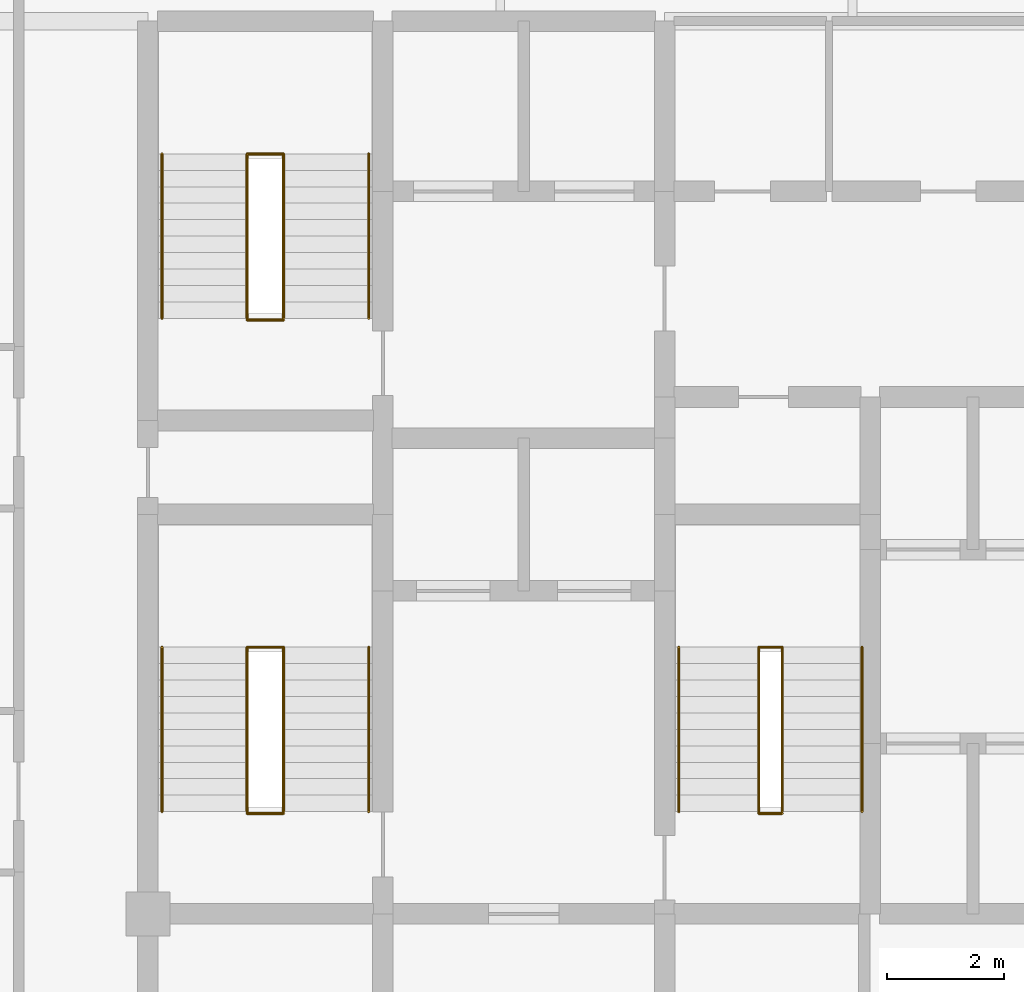
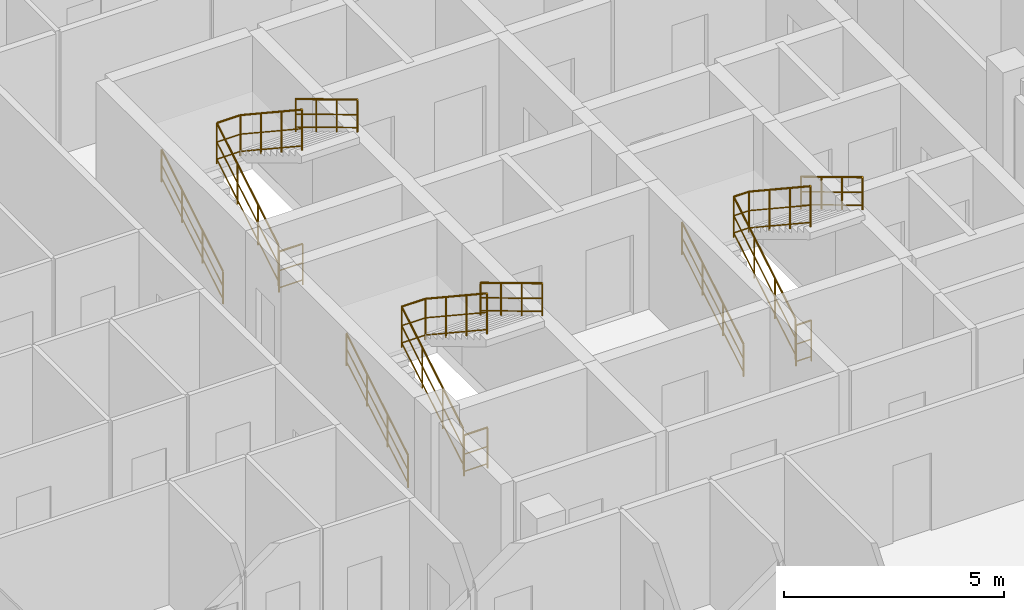
# One storey, part 29 of 29: 12 railings.
"""IFC4 building model written with IfcOpenShell, lengths in metres."""

from ifc_helpers import new_model, si_unit, direction, frame, origin, origin_2d, place, context, subcontext, project, spatial, circle, extrude, material, layer, layer_set, type_object, element, save


model = new_model("IFC4")

# Units and contexts
model_context = context("Model", 3, precision=1e-05, world=origin(), true_north=direction((0.0, 1.0)))
body_context = subcontext(model_context, "Body", "Model", "MODEL_VIEW")
ifc_project = project(units=[si_unit("LENGTHUNIT", "METRE"), si_unit("AREAUNIT", "SQUARE_METRE"), si_unit("VOLUMEUNIT", "CUBIC_METRE"), si_unit("PLANEANGLEUNIT", "RADIAN"), si_unit("MASSUNIT", "GRAM", prefix="KILO")], contexts=[model_context])

# Site, building, storey
site_placement = place(None, origin())
site = spatial("IfcSite", under=ifc_project, at=site_placement, CompositionType="ELEMENT")
building_placement = place(site_placement, origin())
building = spatial("IfcBuilding", under=site, at=building_placement, Name="Keshet Zoharim Tower", CompositionType="ELEMENT")
storey_placement = place(building_placement, frame((0.0, 0.0, 206.89990234375)))
storey = spatial("IfcBuildingStorey", under=building, at=storey_placement, Name="L51", CompositionType="ELEMENT", Elevation=206.89990234375)

# Railings
ifc_material = material(Name="Steel S355", Category="steel")
ifc_layer_1 = layer(ifc_material, 0.050048828125)
ifc_layer_set_1 = layer_set([ifc_layer_1], Name="Steel S355")
railing_type_1 = type_object("IfcRailingType", Name="RL-HND-092", PredefinedType="HANDRAIL", material=ifc_layer_set_1)
railing_1_placement = place(storey_placement, frame((15.239990234375, 24.43994140625, 0.168212890625)))
element("IfcRailing", 1, at=railing_1_placement, inside=storey, type_object=railing_type_1, Name="L51 ST-01 Flight 1 Wall Handrail", PredefinedType="HANDRAIL", context=body_context, shape_type="SweptSolid", body=[
    extrude(circle(Radius=0.02392578125, at=origin_2d()), frame((0.0, 0.0, 0.89599609375), z_axis=(0.0, 0.857242210791, 0.514913383045), x_axis=(-1.0, 0.0, 0.0)), (0.0, 0.0, 1.0), 3.266357421875),
    extrude(circle(Radius=0.01611328125, at=origin_2d()), frame((0.0, 0.0, 0.478271484375), z_axis=(0.0, 0.857242210791, 0.514913383045), x_axis=(-1.0, 0.0, 0.0)), (0.0, 0.0, 1.0), 3.266357421875),
    extrude(circle(Radius=0.01611328125, at=origin_2d()), frame((0.0, 0.0, 0.1201171875), z_axis=(0.0, 0.857242210791, 0.514913383045), x_axis=(-1.0, 0.0, 0.0)), (0.0, 0.0, 1.0), 3.266357421875),
    extrude(circle(Radius=0.02099609375, at=origin_2d()), origin(), (0.0, 0.0, 1.0), 0.871826171875),
    extrude(circle(Radius=0.02099609375, at=origin_2d()), frame((0.0, 0.933349609375, 0.560546875)), (0.0, 0.0, 1.0), 0.871826171875),
    extrude(circle(Radius=0.02099609375, at=origin_2d()), frame((0.0, 1.86669921875, 1.121337890625)), (0.0, 0.0, 1.0), 0.871826171875),
    extrude(circle(Radius=0.02099609375, at=origin_2d()), frame((0.0, 2.800048828125, 1.681884765625)), (0.0, 0.0, 1.0), 0.871826171875),
])
railing_2_placement = place(storey_placement, frame((18.760009765625, 27.239990234375, 2.018310546875)))
element("IfcRailing", 2, at=railing_2_placement, inside=storey, type_object=railing_type_1, Name="L51 ST-01 Flight 2 Wall Handrail", PredefinedType="HANDRAIL", context=body_context, shape_type="SweptSolid", body=[
    extrude(circle(Radius=0.02392578125, at=origin_2d()), frame((0.0, 0.0, 0.89599609375), z_axis=(0.0, -0.857242210791, 0.514913383045), x_axis=(1.0, 0.0, 0.0)), (0.0, 0.0, 1.0), 3.266357421875),
    extrude(circle(Radius=0.01611328125, at=origin_2d()), frame((0.0, 0.0, 0.478271484375), z_axis=(0.0, -0.857242210791, 0.514913383045), x_axis=(1.0, 0.0, 0.0)), (0.0, 0.0, 1.0), 3.266357421875),
    extrude(circle(Radius=0.01611328125, at=origin_2d()), frame((0.0, 0.0, 0.1201171875), z_axis=(0.0, -0.857242210791, 0.514913383045), x_axis=(1.0, 0.0, 0.0)), (0.0, 0.0, 1.0), 3.266357421875),
    extrude(circle(Radius=0.02099609375, at=origin_2d()), origin(), (0.0, 0.0, 1.0), 0.871826171875),
    extrude(circle(Radius=0.02099609375, at=origin_2d()), frame((0.0, -0.933349609375, 0.560546875)), (0.0, 0.0, 1.0), 0.871826171875),
    extrude(circle(Radius=0.02099609375, at=origin_2d()), frame((0.0, -1.86669921875, 1.121337890625)), (0.0, 0.0, 1.0), 0.871826171875),
    extrude(circle(Radius=0.02099609375, at=origin_2d()), frame((0.0, -2.800048828125, 1.681884765625)), (0.0, 0.0, 1.0), 0.871826171875),
])
railing_3_placement = place(storey_placement, frame((15.239990234375, 32.840087890625, 0.168212890625)))
element("IfcRailing", 3, at=railing_3_placement, inside=storey, type_object=railing_type_1, Name="L51 ST-02 Flight 1 Wall Handrail", PredefinedType="HANDRAIL", context=body_context, shape_type="SweptSolid", body=[
    extrude(circle(Radius=0.02392578125, at=origin_2d()), frame((0.0, 0.0, 0.89599609375), z_axis=(0.0, 0.857222391501, 0.514946377315), x_axis=(-1.0, 0.0, 0.0)), (0.0, 0.0, 1.0), 3.26611328125),
    extrude(circle(Radius=0.01611328125, at=origin_2d()), frame((0.0, 0.0, 0.478271484375), z_axis=(0.0, 0.857222391501, 0.514946377315), x_axis=(-1.0, 0.0, 0.0)), (0.0, 0.0, 1.0), 3.26611328125),
    extrude(circle(Radius=0.01611328125, at=origin_2d()), frame((0.0, 0.0, 0.1201171875), z_axis=(0.0, 0.857222391501, 0.514946377315), x_axis=(-1.0, 0.0, 0.0)), (0.0, 0.0, 1.0), 3.26611328125),
    extrude(circle(Radius=0.02099609375, at=origin_2d()), origin(), (0.0, 0.0, 1.0), 0.871826171875),
    extrude(circle(Radius=0.02099609375, at=origin_2d()), frame((0.0, 0.933349609375, 0.560546875)), (0.0, 0.0, 1.0), 0.871826171875),
    extrude(circle(Radius=0.02099609375, at=origin_2d()), frame((0.0, 1.866455078125, 1.121337890625)), (0.0, 0.0, 1.0), 0.871826171875),
    extrude(circle(Radius=0.02099609375, at=origin_2d()), frame((0.0, 2.7998046875, 1.681884765625)), (0.0, 0.0, 1.0), 0.871826171875),
])
railing_4_placement = place(storey_placement, frame((18.760009765625, 35.639892578125, 2.018310546875)))
element("IfcRailing", 4, at=railing_4_placement, inside=storey, type_object=railing_type_1, Name="L51 ST-02 Flight 2 Wall Handrail", PredefinedType="HANDRAIL", context=body_context, shape_type="SweptSolid", body=[
    extrude(circle(Radius=0.02392578125, at=origin_2d()), frame((0.0, 0.0, 0.89599609375), z_axis=(0.0, -0.857222391501, 0.514946377315), x_axis=(1.0, 0.0, 0.0)), (0.0, 0.0, 1.0), 3.26611328125),
    extrude(circle(Radius=0.01611328125, at=origin_2d()), frame((0.0, 0.0, 0.478271484375), z_axis=(0.0, -0.857222391501, 0.514946377315), x_axis=(1.0, 0.0, 0.0)), (0.0, 0.0, 1.0), 3.26611328125),
    extrude(circle(Radius=0.01611328125, at=origin_2d()), frame((0.0, 0.0, 0.1201171875), z_axis=(0.0, -0.857222391501, 0.514946377315), x_axis=(1.0, 0.0, 0.0)), (0.0, 0.0, 1.0), 3.26611328125),
    extrude(circle(Radius=0.02099609375, at=origin_2d()), origin(), (0.0, 0.0, 1.0), 0.871826171875),
    extrude(circle(Radius=0.02099609375, at=origin_2d()), frame((0.0, -0.933349609375, 0.560546875)), (0.0, 0.0, 1.0), 0.871826171875),
    extrude(circle(Radius=0.02099609375, at=origin_2d()), frame((0.0, -1.866455078125, 1.121337890625)), (0.0, 0.0, 1.0), 0.871826171875),
    extrude(circle(Radius=0.02099609375, at=origin_2d()), frame((0.0, -2.7998046875, 1.681884765625)), (0.0, 0.0, 1.0), 0.871826171875),
])
railing_5_placement = place(storey_placement, frame((24.0400390625, 24.43994140625, 0.168212890625)))
element("IfcRailing", 5, at=railing_5_placement, inside=storey, type_object=railing_type_1, Name="L51 ST-03 Flight 1 Wall Handrail", PredefinedType="HANDRAIL", context=body_context, shape_type="SweptSolid", body=[
    extrude(circle(Radius=0.02392578125, at=origin_2d()), frame((0.0, 0.0, 0.89599609375), z_axis=(0.0, 0.857242210791, 0.514913383045), x_axis=(-1.0, 0.0, 0.0)), (0.0, 0.0, 1.0), 3.266357421875),
    extrude(circle(Radius=0.01611328125, at=origin_2d()), frame((0.0, 0.0, 0.478271484375), z_axis=(0.0, 0.857242210791, 0.514913383045), x_axis=(-1.0, 0.0, 0.0)), (0.0, 0.0, 1.0), 3.266357421875),
    extrude(circle(Radius=0.01611328125, at=origin_2d()), frame((0.0, 0.0, 0.1201171875), z_axis=(0.0, 0.857242210791, 0.514913383045), x_axis=(-1.0, 0.0, 0.0)), (0.0, 0.0, 1.0), 3.266357421875),
    extrude(circle(Radius=0.02099609375, at=origin_2d()), origin(), (0.0, 0.0, 1.0), 0.871826171875),
    extrude(circle(Radius=0.02099609375, at=origin_2d()), frame((0.0, 0.933349609375, 0.560546875)), (0.0, 0.0, 1.0), 0.871826171875),
    extrude(circle(Radius=0.02099609375, at=origin_2d()), frame((0.0, 1.86669921875, 1.121337890625)), (0.0, 0.0, 1.0), 0.871826171875),
    extrude(circle(Radius=0.02099609375, at=origin_2d()), frame((0.0, 2.800048828125, 1.681884765625)), (0.0, 0.0, 1.0), 0.871826171875),
])
railing_6_placement = place(storey_placement, frame((27.159912109375, 27.239990234375, 2.018310546875)))
element("IfcRailing", 6, at=railing_6_placement, inside=storey, type_object=railing_type_1, Name="L51 ST-03 Flight 2 Wall Handrail", PredefinedType="HANDRAIL", context=body_context, shape_type="SweptSolid", body=[
    extrude(circle(Radius=0.02392578125, at=origin_2d()), frame((0.0, 0.0, 0.89599609375), z_axis=(0.0, -0.857242210791, 0.514913383045), x_axis=(1.0, 0.0, 0.0)), (0.0, 0.0, 1.0), 3.266357421875),
    extrude(circle(Radius=0.01611328125, at=origin_2d()), frame((0.0, 0.0, 0.478271484375), z_axis=(0.0, -0.857242210791, 0.514913383045), x_axis=(1.0, 0.0, 0.0)), (0.0, 0.0, 1.0), 3.266357421875),
    extrude(circle(Radius=0.01611328125, at=origin_2d()), frame((0.0, 0.0, 0.1201171875), z_axis=(0.0, -0.857242210791, 0.514913383045), x_axis=(1.0, 0.0, 0.0)), (0.0, 0.0, 1.0), 3.266357421875),
    extrude(circle(Radius=0.02099609375, at=origin_2d()), origin(), (0.0, 0.0, 1.0), 0.871826171875),
    extrude(circle(Radius=0.02099609375, at=origin_2d()), frame((0.0, -0.933349609375, 0.560546875)), (0.0, 0.0, 1.0), 0.871826171875),
    extrude(circle(Radius=0.02099609375, at=origin_2d()), frame((0.0, -1.86669921875, 1.121337890625)), (0.0, 0.0, 1.0), 0.871826171875),
    extrude(circle(Radius=0.02099609375, at=origin_2d()), frame((0.0, -2.800048828125, 1.681884765625)), (0.0, 0.0, 1.0), 0.871826171875),
])
ifc_layer_2 = layer(ifc_material, 0.06005859375)
ifc_layer_set_2 = layer_set([ifc_layer_2], Name="Steel S355")
railing_type_2 = type_object("IfcRailingType", Name="RL-STG-115", PredefinedType="GUARDRAIL", material=ifc_layer_set_2)
railing_7_placement = place(storey_placement, frame((16.68994140625, 24.43994140625, 0.168212890625)))
element("IfcRailing", 7, at=railing_7_placement, inside=storey, type_object=railing_type_2, Name="L51 ST-01 Inner Well Guardrail", PredefinedType="GUARDRAIL", context=body_context, shape_type="SweptSolid", body=[
    extrude(circle(Radius=0.02392578125, at=origin_2d()), frame((0.0, 0.0, 1.1259765625), z_axis=(0.0, 0.857242210791, 0.514913383045), x_axis=(-1.0, 0.0, 0.0)), (0.0, 0.0, 1.0), 3.266357421875),
    extrude(circle(Radius=0.01611328125, at=origin_2d()), frame((0.0, 0.0, 0.597900390625), z_axis=(0.0, 0.857242210791, 0.514913383045), x_axis=(-1.0, 0.0, 0.0)), (0.0, 0.0, 1.0), 3.266357421875),
    extrude(circle(Radius=0.01611328125, at=origin_2d()), frame((0.0, 0.0, 0.1201171875), z_axis=(0.0, 0.857242210791, 0.514913383045), x_axis=(-1.0, 0.0, 0.0)), (0.0, 0.0, 1.0), 3.266357421875),
    extrude(circle(Radius=0.02392578125, at=origin_2d()), frame((0.0, 2.800048828125, 2.8076171875), z_axis=(1.0, 0.0, 0.0), x_axis=(0.0, 1.0, 0.0)), (0.0, 0.0, 1.0), 0.6201171875),
    extrude(circle(Radius=0.01611328125, at=origin_2d()), frame((0.0, 2.800048828125, 2.27978515625), z_axis=(1.0, 0.0, 0.0), x_axis=(0.0, 1.0, 0.0)), (0.0, 0.0, 1.0), 0.6201171875),
    extrude(circle(Radius=0.01611328125, at=origin_2d()), frame((0.0, 2.800048828125, 1.802001953125), z_axis=(1.0, 0.0, 0.0), x_axis=(0.0, 1.0, 0.0)), (0.0, 0.0, 1.0), 0.6201171875),
    extrude(circle(Radius=0.02392578125, at=origin_2d()), frame((0.6201171875, 2.800048828125, 2.8076171875), z_axis=(0.0, -0.834326358476, 0.551270829586), x_axis=(1.0, 0.0, 0.0)), (0.0, 0.0, 1.0), 3.35595703125),
    extrude(circle(Radius=0.01611328125, at=origin_2d()), frame((0.6201171875, 2.800048828125, 2.27978515625), z_axis=(0.0, -0.834326358476, 0.551270829586), x_axis=(1.0, 0.0, 0.0)), (0.0, 0.0, 1.0), 3.35595703125),
    extrude(circle(Radius=0.01611328125, at=origin_2d()), frame((0.6201171875, 2.800048828125, 1.802001953125), z_axis=(0.0, -0.834326358476, 0.551270829586), x_axis=(1.0, 0.0, 0.0)), (0.0, 0.0, 1.0), 3.35595703125),
    extrude(circle(Radius=0.02099609375, at=origin_2d()), origin(), (0.0, 0.0, 1.0), 1.101806640625),
    extrude(circle(Radius=0.02099609375, at=origin_2d()), frame((0.0, 0.933349609375, 0.560546875)), (0.0, 0.0, 1.0), 1.101806640625),
    extrude(circle(Radius=0.02099609375, at=origin_2d()), frame((0.0, 1.86669921875, 1.121337890625)), (0.0, 0.0, 1.0), 1.101806640625),
    extrude(circle(Radius=0.02099609375, at=origin_2d()), frame((0.0, 2.800048828125, 1.681884765625)), (0.0, 0.0, 1.0), 1.101806640625),
    extrude(circle(Radius=0.02099609375, at=origin_2d()), frame((0.6201171875, 2.800048828125, 1.681884765625)), (0.0, 0.0, 1.0), 1.101806640625),
    extrude(circle(Radius=0.02099609375, at=origin_2d()), frame((0.6201171875, 1.86669921875, 2.298583984375)), (0.0, 0.0, 1.0), 1.101806640625),
    extrude(circle(Radius=0.02099609375, at=origin_2d()), frame((0.6201171875, 0.933349609375, 2.915283203125)), (0.0, 0.0, 1.0), 1.101806640625),
    extrude(circle(Radius=0.02099609375, at=origin_2d()), frame((0.6201171875, 0.0, 3.531982421875)), (0.0, 0.0, 1.0), 1.101806640625),
])
railing_8_placement = place(storey_placement, frame((16.68994140625, 24.409912109375, 0.0)))
element("IfcRailing", 8, at=railing_8_placement, inside=storey, type_object=railing_type_2, Name="L51 ST-01 Stairwell Floor Guardrail", PredefinedType="GUARDRAIL", context=body_context, shape_type="SweptSolid", body=[
    extrude(circle(Radius=0.02392578125, at=origin_2d()), frame((0.0, 0.0, 1.1259765625), z_axis=(1.0, 0.0, 0.0), x_axis=(0.0, 1.0, 0.0)), (0.0, 0.0, 1.0), 0.6201171875),
    extrude(circle(Radius=0.01611328125, at=origin_2d()), frame((0.0, 0.0, 0.597900390625), z_axis=(1.0, 0.0, 0.0), x_axis=(0.0, 1.0, 0.0)), (0.0, 0.0, 1.0), 0.6201171875),
    extrude(circle(Radius=0.01611328125, at=origin_2d()), frame((0.0, 0.0, 0.1201171875), z_axis=(1.0, 0.0, 0.0), x_axis=(0.0, 1.0, 0.0)), (0.0, 0.0, 1.0), 0.6201171875),
    extrude(circle(Radius=0.02099609375, at=origin_2d()), origin(), (0.0, 0.0, 1.0), 1.101806640625),
    extrude(circle(Radius=0.02099609375, at=origin_2d()), frame((0.6201171875, 0.0, 0.0)), (0.0, 0.0, 1.0), 1.101806640625),
])
railing_9_placement = place(storey_placement, frame((16.68994140625, 32.840087890625, 0.168212890625)))
element("IfcRailing", 9, at=railing_9_placement, inside=storey, type_object=railing_type_2, Name="L51 ST-02 Inner Well Guardrail", PredefinedType="GUARDRAIL", context=body_context, shape_type="SweptSolid", body=[
    extrude(circle(Radius=0.02392578125, at=origin_2d()), frame((0.0, 0.0, 1.1259765625), z_axis=(0.0, 0.857222391501, 0.514946377315), x_axis=(-1.0, 0.0, 0.0)), (0.0, 0.0, 1.0), 3.26611328125),
    extrude(circle(Radius=0.01611328125, at=origin_2d()), frame((0.0, 0.0, 0.597900390625), z_axis=(0.0, 0.857222391501, 0.514946377315), x_axis=(-1.0, 0.0, 0.0)), (0.0, 0.0, 1.0), 3.26611328125),
    extrude(circle(Radius=0.01611328125, at=origin_2d()), frame((0.0, 0.0, 0.1201171875), z_axis=(0.0, 0.857222391501, 0.514946377315), x_axis=(-1.0, 0.0, 0.0)), (0.0, 0.0, 1.0), 3.26611328125),
    extrude(circle(Radius=0.02392578125, at=origin_2d()), frame((0.0, 2.7998046875, 2.8076171875), z_axis=(1.0, 0.0, 0.0), x_axis=(0.0, 1.0, 0.0)), (0.0, 0.0, 1.0), 0.6201171875),
    extrude(circle(Radius=0.01611328125, at=origin_2d()), frame((0.0, 2.7998046875, 2.27978515625), z_axis=(1.0, 0.0, 0.0), x_axis=(0.0, 1.0, 0.0)), (0.0, 0.0, 1.0), 0.6201171875),
    extrude(circle(Radius=0.01611328125, at=origin_2d()), frame((0.0, 2.7998046875, 1.802001953125), z_axis=(1.0, 0.0, 0.0), x_axis=(0.0, 1.0, 0.0)), (0.0, 0.0, 1.0), 0.6201171875),
    extrude(circle(Radius=0.02392578125, at=origin_2d()), frame((0.6201171875, 2.7998046875, 2.8076171875), z_axis=(0.0, -0.834304248922, 0.551304290053), x_axis=(1.0, 0.0, 0.0)), (0.0, 0.0, 1.0), 3.35595703125),
    extrude(circle(Radius=0.01611328125, at=origin_2d()), frame((0.6201171875, 2.7998046875, 2.27978515625), z_axis=(0.0, -0.834304248922, 0.551304290053), x_axis=(1.0, 0.0, 0.0)), (0.0, 0.0, 1.0), 3.35595703125),
    extrude(circle(Radius=0.01611328125, at=origin_2d()), frame((0.6201171875, 2.7998046875, 1.802001953125), z_axis=(0.0, -0.834304248922, 0.551304290053), x_axis=(1.0, 0.0, 0.0)), (0.0, 0.0, 1.0), 3.35595703125),
    extrude(circle(Radius=0.02099609375, at=origin_2d()), origin(), (0.0, 0.0, 1.0), 1.101806640625),
    extrude(circle(Radius=0.02099609375, at=origin_2d()), frame((0.0, 0.933349609375, 0.560546875)), (0.0, 0.0, 1.0), 1.101806640625),
    extrude(circle(Radius=0.02099609375, at=origin_2d()), frame((0.0, 1.866455078125, 1.121337890625)), (0.0, 0.0, 1.0), 1.101806640625),
    extrude(circle(Radius=0.02099609375, at=origin_2d()), frame((0.0, 2.7998046875, 1.681884765625)), (0.0, 0.0, 1.0), 1.101806640625),
    extrude(circle(Radius=0.02099609375, at=origin_2d()), frame((0.6201171875, 2.7998046875, 1.681884765625)), (0.0, 0.0, 1.0), 1.101806640625),
    extrude(circle(Radius=0.02099609375, at=origin_2d()), frame((0.6201171875, 1.866455078125, 2.298583984375)), (0.0, 0.0, 1.0), 1.101806640625),
    extrude(circle(Radius=0.02099609375, at=origin_2d()), frame((0.6201171875, 0.933349609375, 2.915283203125)), (0.0, 0.0, 1.0), 1.101806640625),
    extrude(circle(Radius=0.02099609375, at=origin_2d()), frame((0.6201171875, 0.0, 3.531982421875)), (0.0, 0.0, 1.0), 1.101806640625),
])
railing_10_placement = place(storey_placement, frame((16.68994140625, 32.81005859375, 0.0)))
element("IfcRailing", 10, at=railing_10_placement, inside=storey, type_object=railing_type_2, Name="L51 ST-02 Stairwell Floor Guardrail", PredefinedType="GUARDRAIL", context=body_context, shape_type="SweptSolid", body=[
    extrude(circle(Radius=0.02392578125, at=origin_2d()), frame((0.0, 0.0, 1.1259765625), z_axis=(1.0, 0.0, 0.0), x_axis=(0.0, 1.0, 0.0)), (0.0, 0.0, 1.0), 0.6201171875),
    extrude(circle(Radius=0.01611328125, at=origin_2d()), frame((0.0, 0.0, 0.597900390625), z_axis=(1.0, 0.0, 0.0), x_axis=(0.0, 1.0, 0.0)), (0.0, 0.0, 1.0), 0.6201171875),
    extrude(circle(Radius=0.01611328125, at=origin_2d()), frame((0.0, 0.0, 0.1201171875), z_axis=(1.0, 0.0, 0.0), x_axis=(0.0, 1.0, 0.0)), (0.0, 0.0, 1.0), 0.6201171875),
    extrude(circle(Radius=0.02099609375, at=origin_2d()), origin(), (0.0, 0.0, 1.0), 1.101806640625),
    extrude(circle(Radius=0.02099609375, at=origin_2d()), frame((0.6201171875, 0.0, 0.0)), (0.0, 0.0, 1.0), 1.101806640625),
])
railing_11_placement = place(storey_placement, frame((25.39990234375, 24.43994140625, 0.168212890625)))
element("IfcRailing", 11, at=railing_11_placement, inside=storey, type_object=railing_type_2, Name="L51 ST-03 Inner Well Guardrail", PredefinedType="GUARDRAIL", context=body_context, shape_type="SweptSolid", body=[
    extrude(circle(Radius=0.02392578125, at=origin_2d()), frame((0.0, 0.0, 1.1259765625), z_axis=(0.0, 0.857242210791, 0.514913383045), x_axis=(-1.0, 0.0, 0.0)), (0.0, 0.0, 1.0), 3.266357421875),
    extrude(circle(Radius=0.01611328125, at=origin_2d()), frame((0.0, 0.0, 0.597900390625), z_axis=(0.0, 0.857242210791, 0.514913383045), x_axis=(-1.0, 0.0, 0.0)), (0.0, 0.0, 1.0), 3.266357421875),
    extrude(circle(Radius=0.01611328125, at=origin_2d()), frame((0.0, 0.0, 0.1201171875), z_axis=(0.0, 0.857242210791, 0.514913383045), x_axis=(-1.0, 0.0, 0.0)), (0.0, 0.0, 1.0), 3.266357421875),
    extrude(circle(Radius=0.02392578125, at=origin_2d()), frame((0.0, 2.800048828125, 2.8076171875), z_axis=(1.0, 0.0, 0.0), x_axis=(0.0, 1.0, 0.0)), (0.0, 0.0, 1.0), 0.400146484375),
    extrude(circle(Radius=0.01611328125, at=origin_2d()), frame((0.0, 2.800048828125, 2.27978515625), z_axis=(1.0, 0.0, 0.0), x_axis=(0.0, 1.0, 0.0)), (0.0, 0.0, 1.0), 0.400146484375),
    extrude(circle(Radius=0.01611328125, at=origin_2d()), frame((0.0, 2.800048828125, 1.802001953125), z_axis=(1.0, 0.0, 0.0), x_axis=(0.0, 1.0, 0.0)), (0.0, 0.0, 1.0), 0.400146484375),
    extrude(circle(Radius=0.02392578125, at=origin_2d()), frame((0.400146484375, 2.800048828125, 2.8076171875), z_axis=(0.0, -0.834326358476, 0.551270829586), x_axis=(1.0, 0.0, 0.0)), (0.0, 0.0, 1.0), 3.35595703125),
    extrude(circle(Radius=0.01611328125, at=origin_2d()), frame((0.400146484375, 2.800048828125, 2.27978515625), z_axis=(0.0, -0.834326358476, 0.551270829586), x_axis=(1.0, 0.0, 0.0)), (0.0, 0.0, 1.0), 3.35595703125),
    extrude(circle(Radius=0.01611328125, at=origin_2d()), frame((0.400146484375, 2.800048828125, 1.802001953125), z_axis=(0.0, -0.834326358476, 0.551270829586), x_axis=(1.0, 0.0, 0.0)), (0.0, 0.0, 1.0), 3.35595703125),
    extrude(circle(Radius=0.02099609375, at=origin_2d()), origin(), (0.0, 0.0, 1.0), 1.101806640625),
    extrude(circle(Radius=0.02099609375, at=origin_2d()), frame((0.0, 0.933349609375, 0.560546875)), (0.0, 0.0, 1.0), 1.101806640625),
    extrude(circle(Radius=0.02099609375, at=origin_2d()), frame((0.0, 1.86669921875, 1.121337890625)), (0.0, 0.0, 1.0), 1.101806640625),
    extrude(circle(Radius=0.02099609375, at=origin_2d()), frame((0.0, 2.800048828125, 1.681884765625)), (0.0, 0.0, 1.0), 1.101806640625),
    extrude(circle(Radius=0.02099609375, at=origin_2d()), frame((0.400146484375, 2.800048828125, 1.681884765625)), (0.0, 0.0, 1.0), 1.101806640625),
    extrude(circle(Radius=0.02099609375, at=origin_2d()), frame((0.400146484375, 1.86669921875, 2.298583984375)), (0.0, 0.0, 1.0), 1.101806640625),
    extrude(circle(Radius=0.02099609375, at=origin_2d()), frame((0.400146484375, 0.933349609375, 2.915283203125)), (0.0, 0.0, 1.0), 1.101806640625),
    extrude(circle(Radius=0.02099609375, at=origin_2d()), frame((0.400146484375, 0.0, 3.531982421875)), (0.0, 0.0, 1.0), 1.101806640625),
])
railing_12_placement = place(storey_placement, frame((25.39990234375, 24.409912109375, 0.0)))
element("IfcRailing", 12, at=railing_12_placement, inside=storey, type_object=railing_type_2, Name="L51 ST-03 Stairwell Floor Guardrail", PredefinedType="GUARDRAIL", context=body_context, shape_type="SweptSolid", body=[
    extrude(circle(Radius=0.02392578125, at=origin_2d()), frame((0.0, 0.0, 1.1259765625), z_axis=(1.0, 0.0, 0.0), x_axis=(0.0, 1.0, 0.0)), (0.0, 0.0, 1.0), 0.400146484375),
    extrude(circle(Radius=0.01611328125, at=origin_2d()), frame((0.0, 0.0, 0.597900390625), z_axis=(1.0, 0.0, 0.0), x_axis=(0.0, 1.0, 0.0)), (0.0, 0.0, 1.0), 0.400146484375),
    extrude(circle(Radius=0.01611328125, at=origin_2d()), frame((0.0, 0.0, 0.1201171875), z_axis=(1.0, 0.0, 0.0), x_axis=(0.0, 1.0, 0.0)), (0.0, 0.0, 1.0), 0.400146484375),
    extrude(circle(Radius=0.02099609375, at=origin_2d()), origin(), (0.0, 0.0, 1.0), 1.101806640625),
    extrude(circle(Radius=0.02099609375, at=origin_2d()), frame((0.400146484375, 0.0, 0.0)), (0.0, 0.0, 1.0), 1.101806640625),
])

save(model, "model.ifc")
